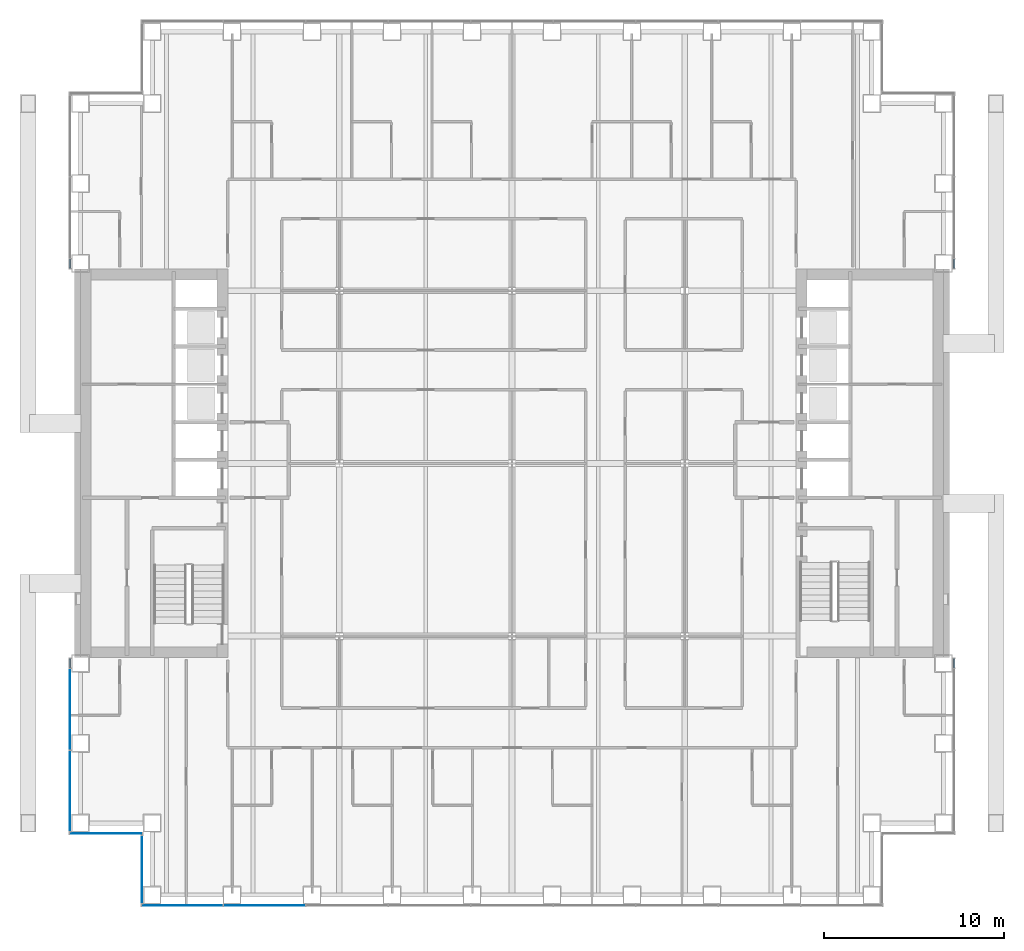
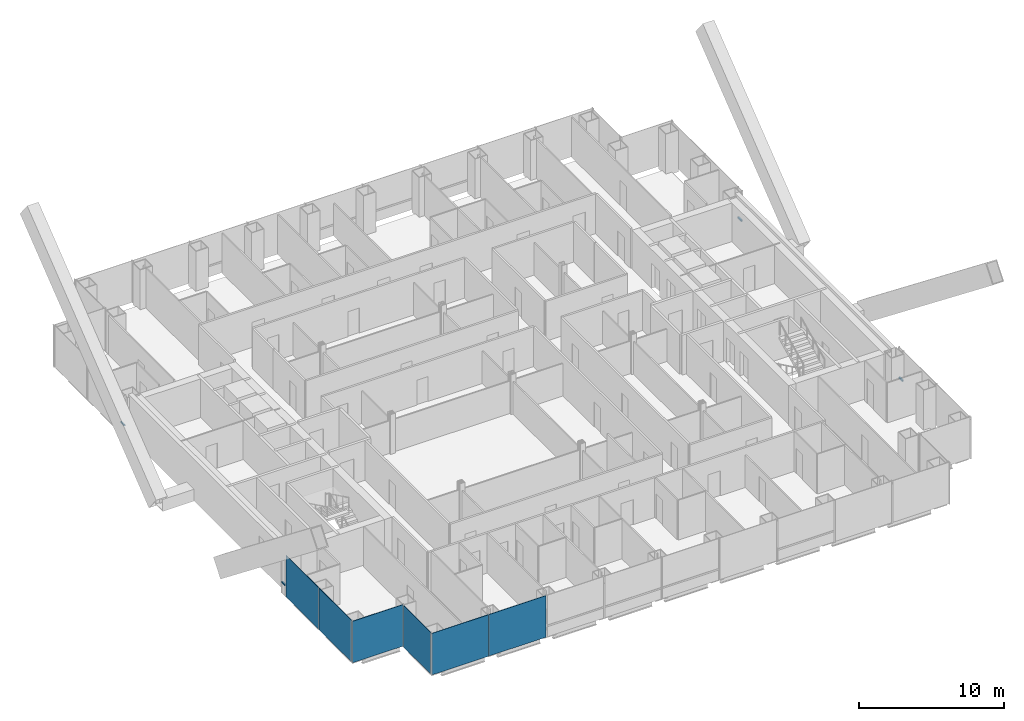
# One storey, part 11 of 23: 6 plates, 4 members, 7 elements without a shape of their own.
"""IFC4 building model written with IfcOpenShell, lengths in metres."""

from ifc_helpers import new_model, si_unit, direction, frame, origin, origin_2d, place, context, subcontext, project, spatial, rectangle, extrude, material, layer, layer_set, material_profile, profile_set, type_object, element, aggregate, save


model = new_model("IFC4")

# Units and contexts
model_context = context("Model", 3, precision=1e-05, world=origin(), true_north=direction((0.0, 1.0)))
body_context = subcontext(model_context, "Body", "Model", "MODEL_VIEW")
ifc_project = project(units=[si_unit("LENGTHUNIT", "METRE"), si_unit("AREAUNIT", "SQUARE_METRE"), si_unit("VOLUMEUNIT", "CUBIC_METRE"), si_unit("PLANEANGLEUNIT", "RADIAN"), si_unit("MASSUNIT", "GRAM", prefix="KILO")], contexts=[model_context])

# Site, building, storey
site_placement = place(None, origin())
site = spatial("IfcSite", under=ifc_project, at=site_placement, CompositionType="ELEMENT")
building_placement = place(site_placement, origin())
building = spatial("IfcBuilding", under=site, at=building_placement, Name="Cobrizo Arcos Hotel Tower", CompositionType="ELEMENT")
storey_placement = place(building_placement, frame((0.0, 0.0, 56.5)))
storey = spatial("IfcBuildingStorey", under=building, at=storey_placement, Name="L12", CompositionType="ELEMENT", Elevation=56.5)

# Curtain wall, member
ifc_material_1 = material(Name="Aluminium 6063-T6 anodised bronze", Category="aluminium")
curtain_wall_type = type_object("IfcCurtainWallType", Name="CW-A guest facade", PredefinedType="NOTDEFINED", material=ifc_material_1)
curtain_wall_1_placement = place(storey_placement, origin())
curtain_wall_1 = element("IfcCurtainWall", 1, at=curtain_wall_1_placement, inside=storey, type_object=curtain_wall_type, Name="CW-A L12 E face", PredefinedType="NOTDEFINED")
ifc_material_profile = material_profile(ifc_material_1, rectangle(XDim=0.10009765625, YDim=0.1201171875, at=origin_2d()), Name="CW-A transom 120x100")
ifc_profile_set = profile_set([ifc_material_profile], Name="Aluminium 6063-T6 anodised bronze")
member_type = type_object("IfcMemberType", Name="CW-A transom 120x100", PredefinedType="USERDEFINED", material=ifc_profile_set)
member_1_placement = place(storey_placement, frame((24.574951171875, -11.35888671875, 0.929931640625), z_axis=(0.0, 1.0, 0.0), x_axis=(-1.0, 0.0, 0.0)))
member_1 = element("IfcMember", 2, at=member_1_placement, type_object=member_type, Name="CW-A transom 564", ObjectType="TRANSOM", PredefinedType="USERDEFINED", context=body_context, shape_type="SweptSolid", body=[
    extrude(rectangle(XDim=0.10009765625, YDim=0.1201171875, at=origin_2d()), origin(), (0.0, 0.0, 1.0), 0.498779296875),
])
aggregate(curtain_wall_1, [member_1])

curtain_wall_2_placement = place(storey_placement, origin())
curtain_wall_2 = element("IfcCurtainWall", 3, at=curtain_wall_2_placement, inside=storey, type_object=curtain_wall_type, Name="CW-A L12 E face", PredefinedType="NOTDEFINED")
member_2_placement = place(storey_placement, frame((24.574951171875, 10.860107421875, 0.929931640625), z_axis=(0.0, 1.0, 0.0), x_axis=(-1.0, 0.0, 0.0)))
member_2 = element("IfcMember", 4, at=member_2_placement, type_object=member_type, Name="CW-A transom 565", ObjectType="TRANSOM", PredefinedType="USERDEFINED", context=body_context, shape_type="SweptSolid", body=[
    extrude(rectangle(XDim=0.10009765625, YDim=0.1201171875, at=origin_2d()), origin(), (0.0, 0.0, 1.0), 0.498779296875),
])
aggregate(curtain_wall_2, [member_2])

curtain_wall_3_placement = place(storey_placement, origin())
curtain_wall_3 = element("IfcCurtainWall", 5, at=curtain_wall_3_placement, inside=storey, type_object=curtain_wall_type, Name="CW-A L12 W face", PredefinedType="NOTDEFINED")
member_3_placement = place(storey_placement, frame((-24.574951171875, 11.35888671875, 0.929931640625), z_axis=(0.0, -1.0, 0.0), x_axis=(1.0, 0.0, 0.0)))
member_3 = element("IfcMember", 6, at=member_3_placement, type_object=member_type, Name="CW-A transom 583", ObjectType="TRANSOM", PredefinedType="USERDEFINED", context=body_context, shape_type="SweptSolid", body=[
    extrude(rectangle(XDim=0.10009765625, YDim=0.1201171875, at=origin_2d()), origin(), (0.0, 0.0, 1.0), 0.498779296875),
])
aggregate(curtain_wall_3, [member_3])

curtain_wall_4_placement = place(storey_placement, origin())
curtain_wall_4 = element("IfcCurtainWall", 7, at=curtain_wall_4_placement, inside=storey, type_object=curtain_wall_type, Name="CW-A L12 W face", PredefinedType="NOTDEFINED")
member_4_placement = place(storey_placement, frame((-24.574951171875, -10.860107421875, 0.929931640625), z_axis=(0.0, -1.0, 0.0), x_axis=(1.0, 0.0, 0.0)))
member_4 = element("IfcMember", 8, at=member_4_placement, type_object=member_type, Name="CW-A transom 584", ObjectType="TRANSOM", PredefinedType="USERDEFINED", context=body_context, shape_type="SweptSolid", body=[
    extrude(rectangle(XDim=0.10009765625, YDim=0.1201171875, at=origin_2d()), origin(), (0.0, 0.0, 1.0), 0.498779296875),
])

# Curtain wall, plates
curtain_wall_5_placement = place(storey_placement, origin())
curtain_wall_5 = element("IfcCurtainWall", 9, at=curtain_wall_5_placement, inside=storey, type_object=curtain_wall_type, Name="CW-A L12 S face", PredefinedType="NOTDEFINED")
ifc_material_2 = material(Name="Aluminium composite panel pale metal", Category="aluminium")
ifc_layer = layer(ifc_material_2, 0.0400390625)
ifc_layer_set = layer_set([ifc_layer], Name="CW-A spandrel panel")
plate_type = type_object("IfcPlateType", Name="CW-A spandrel panel", PredefinedType="CURTAIN_PANEL", material=ifc_layer_set)
plate_1_placement = place(storey_placement, frame((-18.340576171875, -24.574951171875, 0.0), z_axis=(0.0, 0.0, 1.0), x_axis=(1.0, 0.0, 0.0)))
plate_1 = element("IfcPlate", 10, at=plate_1_placement, type_object=plate_type, Name="CW-A spandrel panel 551", PredefinedType="CURTAIN_PANEL", context=body_context, shape_type="SweptSolid", body=[
    extrude(rectangle(XDim=4.498779296875, YDim=0.0400390625, at=origin_2d()), origin(), (0.0, 0.0, 1.0), 3.5),
])
plate_2_placement = place(storey_placement, frame((-13.7666015625, -24.574951171875, 0.0), z_axis=(0.0, 0.0, 1.0), x_axis=(1.0, 0.0, 0.0)))
plate_2 = element("IfcPlate", 11, at=plate_2_placement, type_object=plate_type, Name="CW-A spandrel panel 552", PredefinedType="CURTAIN_PANEL", context=body_context, shape_type="SweptSolid", body=[
    extrude(rectangle(XDim=4.52880859375, YDim=0.0400390625, at=origin_2d()), origin(), (0.0, 0.0, 1.0), 3.5),
])
aggregate(curtain_wall_5, [plate_1, plate_2])

# Plate
plate_3_placement = place(storey_placement, frame((-24.574951171875, -13.666748046875, 0.0), z_axis=(0.0, 0.0, 1.0), x_axis=(0.0, -1.0, 0.0)))
plate_3 = element("IfcPlate", 12, at=plate_3_placement, type_object=plate_type, Name="CW-A spandrel panel 585", PredefinedType="CURTAIN_PANEL", context=body_context, shape_type="SweptSolid", body=[
    extrude(rectangle(XDim=4.49560546875, YDim=0.0400390625, at=origin_2d()), origin(), (0.0, 0.0, 1.0), 3.5),
])

plate_4_placement = place(storey_placement, frame((-24.574951171875, -18.207275390625, 0.0), z_axis=(0.0, 0.0, 1.0), x_axis=(0.0, -1.0, 0.0)))
plate_4 = element("IfcPlate", 13, at=plate_4_placement, type_object=plate_type, Name="CW-A spandrel panel 586", PredefinedType="CURTAIN_PANEL", context=body_context, shape_type="SweptSolid", body=[
    extrude(rectangle(XDim=4.465576171875, YDim=0.0400390625, at=origin_2d()), origin(), (0.0, 0.0, 1.0), 3.5),
])

aggregate(curtain_wall_4, [member_4, plate_3, plate_4])

# Curtain wall, plate
curtain_wall_6_placement = place(storey_placement, origin())
curtain_wall_6 = element("IfcCurtainWall", 14, at=curtain_wall_6_placement, inside=storey, type_object=curtain_wall_type, Name="CW-A L12 S face", PredefinedType="NOTDEFINED")
plate_5_placement = place(storey_placement, frame((-22.574951171875, -20.574951171875, 0.0), z_axis=(0.0, 0.0, 1.0), x_axis=(1.0, 0.0, 0.0)))
plate_5 = element("IfcPlate", 15, at=plate_5_placement, type_object=plate_type, Name="CW-A spandrel panel 587", PredefinedType="CURTAIN_PANEL", context=body_context, shape_type="SweptSolid", body=[
    extrude(rectangle(XDim=4.030029296875, YDim=0.0400390625, at=origin_2d()), origin(), (0.0, 0.0, 1.0), 3.5),
])
aggregate(curtain_wall_6, [plate_5])

curtain_wall_7_placement = place(storey_placement, origin())
curtain_wall_7 = element("IfcCurtainWall", 16, at=curtain_wall_7_placement, inside=storey, type_object=curtain_wall_type, Name="CW-A L12 W face", PredefinedType="NOTDEFINED")
plate_6_placement = place(storey_placement, frame((-20.574951171875, -22.574951171875, 0.0), z_axis=(0.0, 0.0, 1.0), x_axis=(0.0, -1.0, 0.0)))
plate_6 = element("IfcPlate", 17, at=plate_6_placement, type_object=plate_type, Name="CW-A spandrel panel 588", PredefinedType="CURTAIN_PANEL", context=body_context, shape_type="SweptSolid", body=[
    extrude(rectangle(XDim=3.72998046875, YDim=0.0400390625, at=origin_2d()), origin(), (0.0, 0.0, 1.0), 3.5),
])
aggregate(curtain_wall_7, [plate_6])

save(model, "model.ifc")
